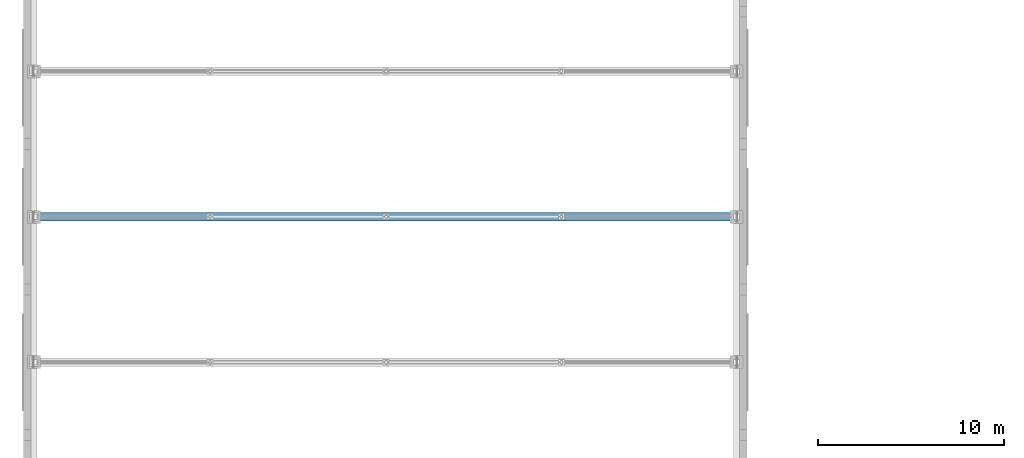
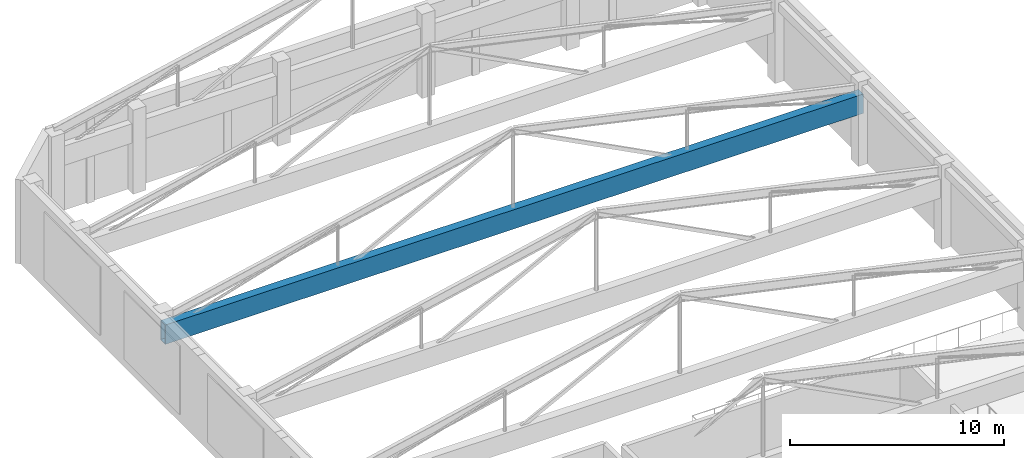
# One storey, part 35 of 105: 1 beam.
"""IFC4 building model written with IfcOpenShell, lengths in metres."""

from ifc_helpers import new_model, si_unit, direction, frame, origin, origin_2d, place, context, subcontext, project, spatial, hollow_rectangle, extrude, material, material_profile, profile_set, type_object, element, save


model = new_model("IFC4")

# Units and contexts
model_context = context("Model", 3, precision=1e-05, world=origin(), true_north=direction((0.0, 1.0)))
body_context = subcontext(model_context, "Body", "Model", "MODEL_VIEW")
ifc_project = project(units=[si_unit("LENGTHUNIT", "METRE"), si_unit("AREAUNIT", "SQUARE_METRE"), si_unit("VOLUMEUNIT", "CUBIC_METRE"), si_unit("PLANEANGLEUNIT", "RADIAN"), si_unit("MASSUNIT", "GRAM", prefix="KILO")], contexts=[model_context])

# Site, building, storey
site_placement = place(None, origin())
site = spatial("IfcSite", under=ifc_project, at=site_placement, CompositionType="ELEMENT")
building_placement = place(site_placement, origin())
building = spatial("IfcBuilding", under=site, at=building_placement, Name="Pelvatis Terrace Science Centre", CompositionType="ELEMENT")
storey_placement = place(building_placement, frame((0.0, 0.0, 10.199951171875)))
storey = spatial("IfcBuildingStorey", under=building, at=storey_placement, Name="L02", CompositionType="ELEMENT", Elevation=10.199951171875)

# Beam
ifc_material = material(Name="Structural steel S355", Category="steel")
ifc_material_profile = material_profile(ifc_material, hollow_rectangle(XDim=0.449951171875, YDim=1.10009765625, WallThickness=0.02197265625, at=origin_2d()), Name="RHS 1100x450x22.0")
ifc_profile_set = profile_set([ifc_material_profile], Name="Structural steel S355")
beam_type = type_object("IfcBeamType", Name="BM-STL-BOX1100", PredefinedType="BEAM", material=ifc_profile_set)
beam_placement = place(storey_placement, frame((8.39990234375, 101.39990234375, 3.400146484375), z_axis=(1.0, 0.0, 0.0), x_axis=(0.0, 1.0, 0.0)))
element("IfcBeam", 1, at=beam_placement, inside=storey, type_object=beam_type, Name="Theatre roof truss 5 bottom tie girder", PredefinedType="BEAM", context=body_context, shape_type="SweptSolid", body=[
    extrude(hollow_rectangle(XDim=0.449951171875, YDim=1.10009765625, WallThickness=0.02197265625, at=origin_2d()), origin(), (0.0, 0.0, 1.0), 37.7001953125),
])

save(model, "model.ifc")
